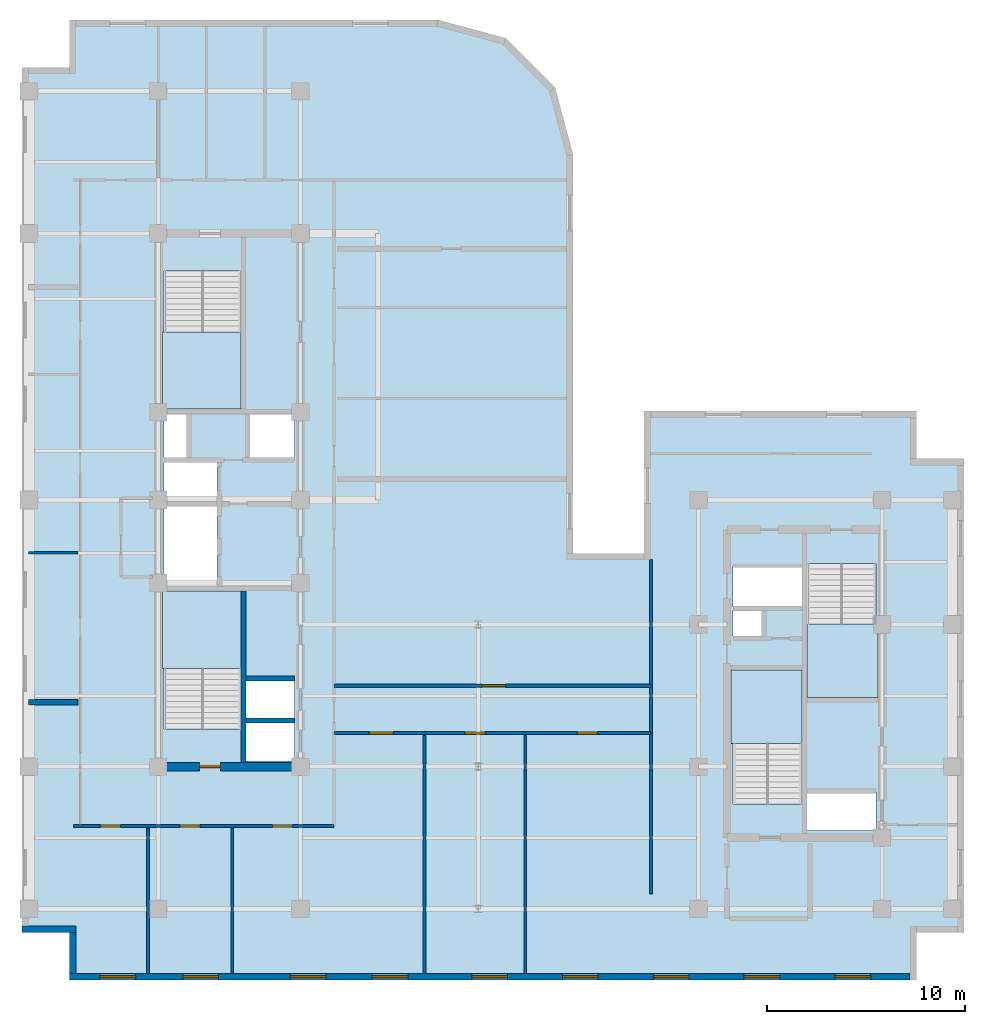
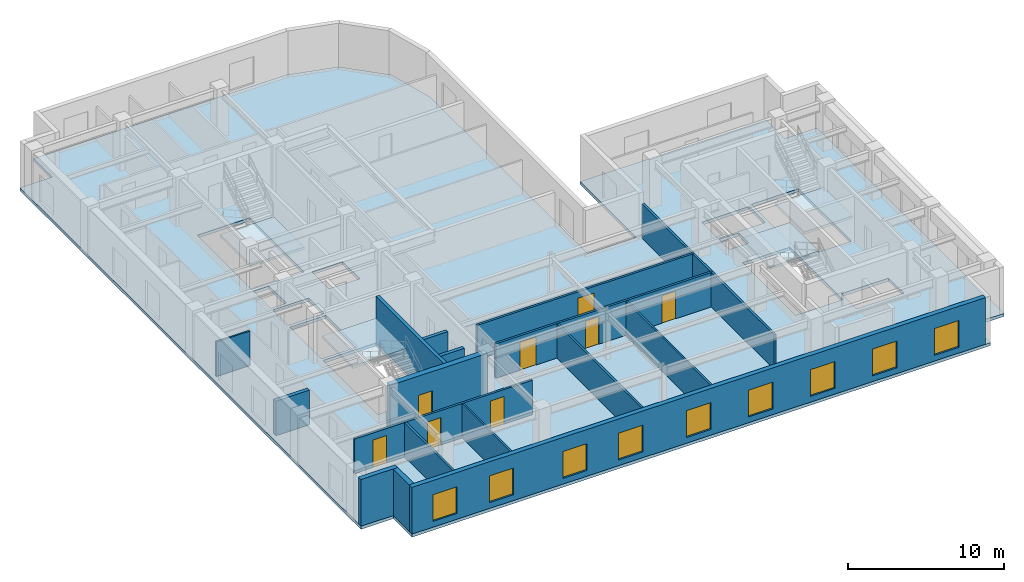
# One storey, part 3 of 10: 17 walls, 9 windows, 8 doors, 5 slabs, 17 openings, 4 elements without a shape of their own.
"""IFC4 building model written with IfcOpenShell, lengths in metres."""

from ifc_helpers import new_model, entity, si_unit, converted_unit, direction, frame, origin_with_axes, origin_2d_with_axis, place, context, subcontext, project, spatial, polyline, rectangle, outline, extrude, material, layer, layer_set, type_object, element, fill, aggregate, save


model = new_model("IFC4")

# Units and contexts
model_context = context("Model", 3, precision=1e-05, world=origin_with_axes(), true_north=direction((0.0, 1.0)))
body_context = subcontext(model_context, "Body", "Model", "MODEL_VIEW")
ifc_project = project(units=[si_unit("LENGTHUNIT", "METRE"), si_unit("AREAUNIT", "SQUARE_METRE"), si_unit("VOLUMEUNIT", "CUBIC_METRE"), converted_unit("PLANEANGLEUNIT", "DEGREE", entity("IfcPlaneAngleMeasure", 0.017453292519943295), si_unit("PLANEANGLEUNIT", "RADIAN"), dimensions=[0, 0, 0, 0, 0, 0, 0]), si_unit("MASSUNIT", "GRAM", prefix="KILO"), si_unit("THERMODYNAMICTEMPERATUREUNIT", "KELVIN")], contexts=[model_context])

# Site, building, storey
site_placement = place(None, origin_with_axes())
site = spatial("IfcSite", under=ifc_project, at=site_placement, CompositionType="ELEMENT")
building_placement = place(site_placement, origin_with_axes())
building = spatial("IfcBuilding", under=site, at=building_placement, Name="Varnlund Millrace Tower", CompositionType="ELEMENT")
storey_placement = place(building_placement, frame((0.0, 0.0, 232.5), z_axis=(0.0, 0.0, 1.0), x_axis=(1.0, 0.0, 0.0)))
storey = spatial("IfcBuildingStorey", under=building, at=storey_placement, Name="L57", CompositionType="ELEMENT", Elevation=232.5)

# Slab
ifc_material_1 = material(Name="Concrete C60/75", Category="concrete")
ifc_layer_1 = layer(ifc_material_1, 0.24, Name="Concrete C60/75")
ifc_layer_set_1 = layer_set([ifc_layer_1], Name="Concrete C60/75")
slab_type_1 = type_object("IfcSlabType", Name="Type-Deck-Plate-Typical-240", PredefinedType="FLOOR", material=ifc_layer_set_1)
slab_1_placement = place(storey_placement, frame((0.0, 0.0, -0.24), z_axis=(0.0, 0.0, 1.0), x_axis=(1.0, 0.0, 0.0)))
element("IfcSlab", 1, at=slab_1_placement, inside=storey, type_object=slab_type_1, Name="Type-Deck-Plate-Typical-240", PredefinedType="FLOOR", context=body_context, shape_type="SweptSolid", body=[
    extrude(outline(polyline([(32.4, 21.6), (32.4, 41.8), (31.489, 45.2), (29.0, 47.689), (25.6, 48.6), (6.9, 48.6), (6.9, 46.2), (4.5, 46.2), (4.5, 2.4), (6.9, 2.4), (6.9, 0.0), (49.8, 0.0), (49.8, 2.4), (52.2, 2.4), (52.2, 26.4), (49.8, 26.4), (49.8, 28.8), (36.0, 28.8), (36.0, 21.6), (32.4, 21.6)]), holes=[polyline([(18.3, 13.1), (18.3, 11.1), (15.84, 11.1), (15.84, 13.1), (18.3, 13.1)]), polyline([(15.6, 12.715), (11.7, 12.715), (11.7, 19.7), (15.6, 19.7), (15.6, 12.715)]), polyline([(11.7, 19.94), (11.7, 23.98), (14.38, 23.98), (14.38, 19.94), (11.7, 19.94)]), polyline([(14.38, 24.24), (11.7, 24.24), (11.7, 26.2), (14.38, 26.2), (14.38, 24.24)]), polyline([(12.84, 26.46), (11.7, 26.46), (11.7, 28.65), (12.84, 28.65), (12.84, 26.46)]), polyline([(15.6, 28.9), (11.7, 28.9), (11.7, 35.885), (15.6, 35.885), (15.6, 28.9)]), polyline([(47.75, 9.52), (47.75, 7.58), (44.25, 7.58), (44.25, 9.52), (47.75, 9.52)]), polyline([(44.0, 8.915), (40.5, 8.915), (40.5, 15.7), (44.0, 15.7), (44.0, 8.915)]), polyline([(18.3, 13.16), (15.84, 13.16), (15.84, 15.24), (18.3, 15.24), (18.3, 13.16)]), polyline([(47.75, 14.3), (44.25, 14.3), (44.25, 21.085), (47.75, 21.085), (47.75, 14.3)]), polyline([(41.95, 17.42), (40.5, 17.42), (40.5, 18.72), (41.95, 18.72), (41.95, 17.42)]), polyline([(44.0, 18.88), (40.5, 18.88), (40.5, 20.94), (44.0, 20.94), (44.0, 18.88)]), polyline([(18.3, 26.46), (16.04, 26.46), (16.04, 28.65), (18.3, 28.65), (18.3, 26.46)])]), origin_with_axes(), (0.0, 0.0, 1.0), 0.24),
])

# Stair, slab
ifc_material_2 = material(Name="Concrete C50/60", Category="concrete")
stair_type_1 = type_object("IfcStairType", Name="Type-Stair-Dogleg-185-390", PredefinedType="HALF_TURN_STAIR", material=ifc_material_2)
stair_1_placement = place(storey_placement, origin_with_axes())
stair_1 = element("IfcStair", 2, at=stair_1_placement, inside=storey, type_object=stair_type_1, Name="Type-Stair-Dogleg-185-390", PredefinedType="HALF_TURN_STAIR")
ifc_layer_2 = layer(ifc_material_2, 0.2, Name="Concrete C50/60")
ifc_layer_set_2 = layer_set([ifc_layer_2], Name="Concrete C50/60")
slab_type_2 = type_object("IfcSlabType", Name="Type-StairLanding-200", PredefinedType="LANDING", material=ifc_layer_set_2)
slab_2_placement = place(storey_placement, frame((0.0, 0.0, 1.75), z_axis=(0.0, 0.0, 1.0), x_axis=(1.0, 0.0, 0.0)))
slab_2 = element("IfcSlab", 3, at=slab_2_placement, type_object=slab_type_2, Name="ST-A1 landing 1", PredefinedType="LANDING", context=body_context, shape_type="SweptSolid", body=[
    extrude(outline(polyline([(15.6, 15.78), (15.6, 19.7), (11.61, 19.7), (11.61, 15.78), (15.6, 15.78)])), origin_with_axes(), (0.0, 0.0, 1.0), 0.2),
])
aggregate(stair_1, [slab_2])

stair_2_placement = place(storey_placement, origin_with_axes())
stair_2 = element("IfcStair", 4, at=stair_2_placement, inside=storey, type_object=stair_type_1, Name="Type-Stair-Dogleg-185-390", PredefinedType="HALF_TURN_STAIR")
slab_3_placement = place(storey_placement, frame((0.0, 0.0, 1.75), z_axis=(0.0, 0.0, 1.0), x_axis=(1.0, 0.0, 0.0)))
slab_3 = element("IfcSlab", 5, at=slab_3_placement, type_object=slab_type_2, Name="ST-A2 landing 1", PredefinedType="LANDING", context=body_context, shape_type="SweptSolid", body=[
    extrude(outline(polyline([(11.61, 32.82), (11.61, 28.9), (15.6, 28.9), (15.6, 32.82), (11.61, 32.82)])), origin_with_axes(), (0.0, 0.0, 1.0), 0.2),
])
aggregate(stair_2, [slab_3])

stair_type_2 = type_object("IfcStairType", Name="Type-Stair-Dogleg-165-390", PredefinedType="HALF_TURN_STAIR", material=ifc_material_2)
stair_3_placement = place(storey_placement, origin_with_axes())
stair_3 = element("IfcStair", 6, at=stair_3_placement, inside=storey, type_object=stair_type_2, Name="Type-Stair-Dogleg-165-390", PredefinedType="HALF_TURN_STAIR")
slab_4_placement = place(storey_placement, frame((0.0, 0.0, 1.75), z_axis=(0.0, 0.0, 1.0), x_axis=(1.0, 0.0, 0.0)))
slab_4 = element("IfcSlab", 7, at=slab_4_placement, type_object=slab_type_2, Name="ST-B1 landing 1", PredefinedType="LANDING", context=body_context, shape_type="SweptSolid", body=[
    extrude(outline(polyline([(44.0, 11.98), (44.0, 15.7), (40.41, 15.7), (40.41, 11.98), (44.0, 11.98)])), origin_with_axes(), (0.0, 0.0, 1.0), 0.2),
])
aggregate(stair_3, [slab_4])

stair_4_placement = place(storey_placement, origin_with_axes())
stair_4 = element("IfcStair", 8, at=stair_4_placement, inside=storey, type_object=stair_type_2, Name="Type-Stair-Dogleg-165-390", PredefinedType="HALF_TURN_STAIR")
slab_5_placement = place(storey_placement, frame((0.0, 0.0, 1.75), z_axis=(0.0, 0.0, 1.0), x_axis=(1.0, 0.0, 0.0)))
slab_5 = element("IfcSlab", 9, at=slab_5_placement, type_object=slab_type_2, Name="ST-B2 landing 1", PredefinedType="LANDING", context=body_context, shape_type="SweptSolid", body=[
    extrude(outline(polyline([(44.25, 18.02), (44.25, 14.3), (47.84, 14.3), (47.84, 18.02), (44.25, 18.02)])), origin_with_axes(), (0.0, 0.0, 1.0), 0.2),
])
aggregate(stair_4, [slab_5])

# Wall, opening, door
ifc_layer_3 = layer(ifc_material_1, 0.42, Name="Concrete C60/75")
ifc_layer_set_3 = layer_set([ifc_layer_3], Name="Concrete C60/75")
wall_type_1 = type_object("IfcWallType", Name="Type-CoreWall-Shear-420-C60", PredefinedType="SHEAR", material=ifc_layer_set_3)
wall_1_placement = place(storey_placement, frame((11.4, 10.8, 0.0), z_axis=(0.0, 0.0, 1.0), x_axis=(1.0, 0.0, 0.0)))
wall_1 = element("IfcWall", 10, at=wall_1_placement, inside=storey, type_object=wall_type_1, Name="Type-CoreWall-Shear-420-C60", PredefinedType="SHEAR", context=body_context, shape_type="SweptSolid", body=[
    extrude(outline(polyline([(0.0, -0.21), (7.2, -0.21), (7.2, 0.21), (0.0, 0.21), (0.0, -0.21)])), origin_with_axes(), (0.0, 0.0, 1.0), 3.66),
])
opening_1_placement = place(wall_1_placement, frame((2.625, 0.0, 0.0), z_axis=(0.0, 0.0, 1.0), x_axis=(1.0, 0.0, 0.0)))
opening_1 = element("IfcOpeningElement", 11, at=opening_1_placement, cuts=wall_1, Name="Opening L57:DR-STA1", PredefinedType="OPENING", context=body_context, shape_type="SweptSolid", body=[
    extrude(rectangle(XDim=1.05, YDim=0.44, at=origin_2d_with_axis()), origin_with_axes(), (0.0, 0.0, 1.0), 2.15),
])
ifc_material_3 = material(Name="Fire-rated hollow steel door", Category="steel")
door_type_1 = type_object("IfcDoorType", Name="Type-FireDoor-Stair-1050X2150", OperationType="NOTDEFINED", PredefinedType="DOOR", material=ifc_material_3)
door_1_placement = place(wall_1_placement, frame((2.625, 0.0, 0.0), z_axis=(0.0, 0.0, 1.0), x_axis=(1.0, 0.0, 0.0)))
door_1 = element("IfcDoor", 12, at=door_1_placement, inside=storey, type_object=door_type_1, Name="Type-FireDoor-Stair-1050X2150", OperationType="SINGLE_SWING_LEFT", OverallHeight=2.15, OverallWidth=1.05, PredefinedType="DOOR", context=body_context, shape_type="SweptSolid", body=[
    extrude(rectangle(XDim=1.05, YDim=0.09, at=origin_2d_with_axis()), origin_with_axes(), (0.0, 0.0, 1.0), 2.15),
])
fill(opening_1, door_1)

# Wall, openings, windows
ifc_material_4 = material(Name="Precast concrete C50/60", Category="concrete")
ifc_layer_4 = layer(ifc_material_4, 0.34, Name="Precast concrete C50/60")
ifc_layer_set_4 = layer_set([ifc_layer_4], Name="Precast concrete C50/60")
wall_type_2 = type_object("IfcWallType", Name="Type-ExtWall-Precast-Upper-340", PredefinedType="SOLIDWALL", material=ifc_layer_set_4)
wall_2_placement = place(storey_placement, frame((49.46, 0.17, 0.0), z_axis=(0.0, 0.0, 1.0), x_axis=(-1.0, 0.0, 0.0)))
wall_2 = element("IfcWall", 13, at=wall_2_placement, inside=storey, type_object=wall_type_2, Name="Type-ExtWall-Precast-Upper-340", PredefinedType="SOLIDWALL", context=body_context, shape_type="SweptSolid", body=[
    extrude(outline(polyline([(0.0, -0.17), (42.56, -0.17), (42.56, 0.17), (0.0, 0.17), (0.0, -0.17)])), origin_with_axes(), (0.0, 0.0, 1.0), 3.66),
])
opening_2_placement = place(wall_2_placement, frame((2.898, 0.0, 0.45), z_axis=(0.0, 0.0, 1.0), x_axis=(1.0, 0.0, 0.0)))
opening_2 = element("IfcOpeningElement", 14, at=opening_2_placement, cuts=wall_2, Name="Opening L57:WN-07", PredefinedType="OPENING", context=body_context, shape_type="SweptSolid", body=[
    extrude(rectangle(XDim=1.8, YDim=0.36, at=origin_2d_with_axis()), origin_with_axes(), (0.0, 0.0, 1.0), 2.1),
])
opening_3_placement = place(wall_2_placement, frame((7.493, 0.0, 0.45), z_axis=(0.0, 0.0, 1.0), x_axis=(1.0, 0.0, 0.0)))
opening_3 = element("IfcOpeningElement", 15, at=opening_3_placement, cuts=wall_2, Name="Opening L57:WN-08", PredefinedType="OPENING", context=body_context, shape_type="SweptSolid", body=[
    extrude(rectangle(XDim=1.8, YDim=0.36, at=origin_2d_with_axis()), origin_with_axes(), (0.0, 0.0, 1.0), 2.1),
])
opening_4_placement = place(wall_2_placement, frame((12.089, 0.0, 0.45), z_axis=(0.0, 0.0, 1.0), x_axis=(1.0, 0.0, 0.0)))
opening_4 = element("IfcOpeningElement", 16, at=opening_4_placement, cuts=wall_2, Name="Opening L57:WN-09", PredefinedType="OPENING", context=body_context, shape_type="SweptSolid", body=[
    extrude(rectangle(XDim=1.8, YDim=0.36, at=origin_2d_with_axis()), origin_with_axes(), (0.0, 0.0, 1.0), 2.1),
])
opening_5_placement = place(wall_2_placement, frame((16.684, 0.0, 0.45), z_axis=(0.0, 0.0, 1.0), x_axis=(1.0, 0.0, 0.0)))
opening_5 = element("IfcOpeningElement", 17, at=opening_5_placement, cuts=wall_2, Name="Opening L57:WN-10", PredefinedType="OPENING", context=body_context, shape_type="SweptSolid", body=[
    extrude(rectangle(XDim=1.8, YDim=0.36, at=origin_2d_with_axis()), origin_with_axes(), (0.0, 0.0, 1.0), 2.1),
])
opening_6_placement = place(wall_2_placement, frame((21.28, 0.0, 0.45), z_axis=(0.0, 0.0, 1.0), x_axis=(1.0, 0.0, 0.0)))
opening_6 = element("IfcOpeningElement", 18, at=opening_6_placement, cuts=wall_2, Name="Opening L57:WN-11", PredefinedType="OPENING", context=body_context, shape_type="SweptSolid", body=[
    extrude(rectangle(XDim=1.8, YDim=0.36, at=origin_2d_with_axis()), origin_with_axes(), (0.0, 0.0, 1.0), 2.1),
])
opening_7_placement = place(wall_2_placement, frame((26.326, 0.0, 0.45), z_axis=(0.0, 0.0, 1.0), x_axis=(1.0, 0.0, 0.0)))
opening_7 = element("IfcOpeningElement", 19, at=opening_7_placement, cuts=wall_2, Name="Opening L57:WN-12", PredefinedType="OPENING", context=body_context, shape_type="SweptSolid", body=[
    extrude(rectangle(XDim=1.8, YDim=0.36, at=origin_2d_with_axis()), origin_with_axes(), (0.0, 0.0, 1.0), 2.1),
])
opening_8_placement = place(wall_2_placement, frame((30.471, 0.0, 0.45), z_axis=(0.0, 0.0, 1.0), x_axis=(1.0, 0.0, 0.0)))
opening_8 = element("IfcOpeningElement", 20, at=opening_8_placement, cuts=wall_2, Name="Opening L57:WN-13", PredefinedType="OPENING", context=body_context, shape_type="SweptSolid", body=[
    extrude(rectangle(XDim=1.8, YDim=0.36, at=origin_2d_with_axis()), origin_with_axes(), (0.0, 0.0, 1.0), 2.1),
])
opening_9_placement = place(wall_2_placement, frame((35.917, 0.0, 0.45), z_axis=(0.0, 0.0, 1.0), x_axis=(1.0, 0.0, 0.0)))
opening_9 = element("IfcOpeningElement", 21, at=opening_9_placement, cuts=wall_2, Name="Opening L57:WN-14", PredefinedType="OPENING", context=body_context, shape_type="SweptSolid", body=[
    extrude(rectangle(XDim=1.8, YDim=0.36, at=origin_2d_with_axis()), origin_with_axes(), (0.0, 0.0, 1.0), 2.1),
])
opening_10_placement = place(wall_2_placement, frame((40.112, 0.0, 0.45), z_axis=(0.0, 0.0, 1.0), x_axis=(1.0, 0.0, 0.0)))
opening_10 = element("IfcOpeningElement", 22, at=opening_10_placement, cuts=wall_2, Name="Opening L57:WN-15", PredefinedType="OPENING", context=body_context, shape_type="SweptSolid", body=[
    extrude(rectangle(XDim=1.8, YDim=0.36, at=origin_2d_with_axis()), origin_with_axes(), (0.0, 0.0, 1.0), 2.1),
])
ifc_material_5 = material(Name="Argon low-e triple glazing in thermally broken bronze frame", Category="glass")
window_type = type_object("IfcWindowType", Name="Type-Window-Punched-1800X2100", PartitioningType="SINGLE_PANEL", PredefinedType="WINDOW", material=ifc_material_5)
window_1_placement = place(wall_2_placement, frame((2.898, 0.0, 0.45), z_axis=(0.0, 0.0, 1.0), x_axis=(1.0, 0.0, 0.0)))
window_1 = element("IfcWindow", 23, at=window_1_placement, inside=storey, type_object=window_type, Name="Type-Window-Punched-1800X2100", OverallHeight=2.1, OverallWidth=1.8, PredefinedType="WINDOW", context=body_context, shape_type="SweptSolid", body=[
    extrude(rectangle(XDim=1.8, YDim=0.09, at=origin_2d_with_axis()), origin_with_axes(), (0.0, 0.0, 1.0), 2.1),
])
fill(opening_2, window_1)
window_2_placement = place(wall_2_placement, frame((7.493, 0.0, 0.45), z_axis=(0.0, 0.0, 1.0), x_axis=(1.0, 0.0, 0.0)))
window_2 = element("IfcWindow", 24, at=window_2_placement, inside=storey, type_object=window_type, Name="Type-Window-Punched-1800X2100", OverallHeight=2.1, OverallWidth=1.8, PredefinedType="WINDOW", context=body_context, shape_type="SweptSolid", body=[
    extrude(rectangle(XDim=1.8, YDim=0.09, at=origin_2d_with_axis()), origin_with_axes(), (0.0, 0.0, 1.0), 2.1),
])
fill(opening_3, window_2)
window_3_placement = place(wall_2_placement, frame((12.089, 0.0, 0.45), z_axis=(0.0, 0.0, 1.0), x_axis=(1.0, 0.0, 0.0)))
window_3 = element("IfcWindow", 25, at=window_3_placement, inside=storey, type_object=window_type, Name="Type-Window-Punched-1800X2100", OverallHeight=2.1, OverallWidth=1.8, PredefinedType="WINDOW", context=body_context, shape_type="SweptSolid", body=[
    extrude(rectangle(XDim=1.8, YDim=0.09, at=origin_2d_with_axis()), origin_with_axes(), (0.0, 0.0, 1.0), 2.1),
])
fill(opening_4, window_3)
window_4_placement = place(wall_2_placement, frame((16.684, 0.0, 0.45), z_axis=(0.0, 0.0, 1.0), x_axis=(1.0, 0.0, 0.0)))
window_4 = element("IfcWindow", 26, at=window_4_placement, inside=storey, type_object=window_type, Name="Type-Window-Punched-1800X2100", OverallHeight=2.1, OverallWidth=1.8, PredefinedType="WINDOW", context=body_context, shape_type="SweptSolid", body=[
    extrude(rectangle(XDim=1.8, YDim=0.09, at=origin_2d_with_axis()), origin_with_axes(), (0.0, 0.0, 1.0), 2.1),
])
fill(opening_5, window_4)
window_5_placement = place(wall_2_placement, frame((21.28, 0.0, 0.45), z_axis=(0.0, 0.0, 1.0), x_axis=(1.0, 0.0, 0.0)))
window_5 = element("IfcWindow", 27, at=window_5_placement, inside=storey, type_object=window_type, Name="Type-Window-Punched-1800X2100", OverallHeight=2.1, OverallWidth=1.8, PredefinedType="WINDOW", context=body_context, shape_type="SweptSolid", body=[
    extrude(rectangle(XDim=1.8, YDim=0.09, at=origin_2d_with_axis()), origin_with_axes(), (0.0, 0.0, 1.0), 2.1),
])
fill(opening_6, window_5)
window_6_placement = place(wall_2_placement, frame((26.326, 0.0, 0.45), z_axis=(0.0, 0.0, 1.0), x_axis=(1.0, 0.0, 0.0)))
window_6 = element("IfcWindow", 28, at=window_6_placement, inside=storey, type_object=window_type, Name="Type-Window-Punched-1800X2100", OverallHeight=2.1, OverallWidth=1.8, PredefinedType="WINDOW", context=body_context, shape_type="SweptSolid", body=[
    extrude(rectangle(XDim=1.8, YDim=0.09, at=origin_2d_with_axis()), origin_with_axes(), (0.0, 0.0, 1.0), 2.1),
])
fill(opening_7, window_6)
window_7_placement = place(wall_2_placement, frame((30.471, 0.0, 0.45), z_axis=(0.0, 0.0, 1.0), x_axis=(1.0, 0.0, 0.0)))
window_7 = element("IfcWindow", 29, at=window_7_placement, inside=storey, type_object=window_type, Name="Type-Window-Punched-1800X2100", OverallHeight=2.1, OverallWidth=1.8, PredefinedType="WINDOW", context=body_context, shape_type="SweptSolid", body=[
    extrude(rectangle(XDim=1.8, YDim=0.09, at=origin_2d_with_axis()), origin_with_axes(), (0.0, 0.0, 1.0), 2.1),
])
fill(opening_8, window_7)
window_8_placement = place(wall_2_placement, frame((35.917, 0.0, 0.45), z_axis=(0.0, 0.0, 1.0), x_axis=(1.0, 0.0, 0.0)))
window_8 = element("IfcWindow", 30, at=window_8_placement, inside=storey, type_object=window_type, Name="Type-Window-Punched-1800X2100", OverallHeight=2.1, OverallWidth=1.8, PredefinedType="WINDOW", context=body_context, shape_type="SweptSolid", body=[
    extrude(rectangle(XDim=1.8, YDim=0.09, at=origin_2d_with_axis()), origin_with_axes(), (0.0, 0.0, 1.0), 2.1),
])
fill(opening_9, window_8)
window_9_placement = place(wall_2_placement, frame((40.112, 0.0, 0.45), z_axis=(0.0, 0.0, 1.0), x_axis=(1.0, 0.0, 0.0)))
window_9 = element("IfcWindow", 31, at=window_9_placement, inside=storey, type_object=window_type, Name="Type-Window-Punched-1800X2100", OverallHeight=2.1, OverallWidth=1.8, PredefinedType="WINDOW", context=body_context, shape_type="SweptSolid", body=[
    extrude(rectangle(XDim=1.8, YDim=0.09, at=origin_2d_with_axis()), origin_with_axes(), (0.0, 0.0, 1.0), 2.1),
])
fill(opening_10, window_9)

# Walls
wall_3_placement = place(storey_placement, frame((7.07, 0.34, 0.0), z_axis=(0.0, 0.0, 1.0), x_axis=(0.0, 1.0, 0.0)))
element("IfcWall", 32, at=wall_3_placement, inside=storey, type_object=wall_type_2, Name="Type-ExtWall-Precast-Upper-340", PredefinedType="SOLIDWALL", context=body_context, shape_type="SweptSolid", body=[
    extrude(outline(polyline([(0.0, -0.17), (2.06, -0.17), (2.06, 0.17), (0.0, 0.17), (0.0, -0.17)])), origin_with_axes(), (0.0, 0.0, 1.0), 3.66),
])
wall_4_placement = place(storey_placement, frame((7.24, 2.57, 0.0), z_axis=(0.0, 0.0, 1.0), x_axis=(-1.0, 0.0, 0.0)))
element("IfcWall", 33, at=wall_4_placement, inside=storey, type_object=wall_type_2, Name="Type-ExtWall-Precast-Upper-340", PredefinedType="SOLIDWALL", context=body_context, shape_type="SweptSolid", body=[
    extrude(outline(polyline([(0.0, -0.17), (2.74, -0.17), (2.74, 0.17), (0.0, 0.17), (0.0, -0.17)])), origin_with_axes(), (0.0, 0.0, 1.0), 3.66),
])
ifc_material_6 = material(Name="Double-stud STC-60 conference acoustic partition", Category="gypsum")
ifc_layer_5 = layer(ifc_material_6, 0.28, Name="Double-stud STC-60 conference acoustic partition")
ifc_layer_set_5 = layer_set([ifc_layer_5], Name="Double-stud STC-60 conference acoustic partition")
wall_type_3 = type_object("IfcWallType", Name="Type-Partition-Acoustic-280", PredefinedType="PARTITIONING", material=ifc_layer_set_5)
wall_5_placement = place(storey_placement, frame((4.835, 14.06, 0.0), z_axis=(0.0, 0.0, 1.0), x_axis=(1.0, 0.0, 0.0)))
element("IfcWall", 34, at=wall_5_placement, inside=storey, type_object=wall_type_3, Name="Type-Partition-Acoustic-280", PredefinedType="PARTITIONING", context=body_context, shape_type="SweptSolid", body=[
    extrude(outline(polyline([(0.0, -0.14), (2.495, -0.14), (2.495, 0.14), (0.0, 0.14), (0.0, -0.14)])), origin_with_axes(), (0.0, 0.0, 1.0), 2.7),
])

# Wall, openings, doors
ifc_material_7 = material(Name="Fire-rated gypsum board on cold-formed steel framing", Category="steel")
ifc_layer_6 = layer(ifc_material_7, 0.16, Name="Fire-rated gypsum board on cold-formed steel framing")
ifc_layer_set_6 = layer_set([ifc_layer_6], Name="Fire-rated gypsum board on cold-formed steel framing")
wall_type_4 = type_object("IfcWallType", Name="Type-Partition-Corridor-160", PredefinedType="PARTITIONING", material=ifc_layer_set_6)
wall_6_placement = place(storey_placement, frame((7.1, 7.8, 0.0), z_axis=(0.0, 0.0, 1.0), x_axis=(1.0, 0.0, 0.0)))
wall_6 = element("IfcWall", 35, at=wall_6_placement, inside=storey, type_object=wall_type_4, Name="Type-Partition-Corridor-160", PredefinedType="PARTITIONING", context=body_context, shape_type="SweptSolid", body=[
    extrude(outline(polyline([(0.0, -0.08), (13.2, -0.08), (13.2, 0.08), (0.0, 0.08), (0.0, -0.08)])), origin_with_axes(), (0.0, 0.0, 1.0), 2.7),
])
opening_11_placement = place(wall_6_placement, frame((1.8845, 0.0, 0.0), z_axis=(0.0, 0.0, 1.0), x_axis=(1.0, 0.0, 0.0)))
opening_11 = element("IfcOpeningElement", 36, at=opening_11_placement, cuts=wall_6, Name="Opening L57:DR-WAS-01", PredefinedType="OPENING", context=body_context, shape_type="SweptSolid", body=[
    extrude(rectangle(XDim=1.0, YDim=0.18, at=origin_2d_with_axis()), origin_with_axes(), (0.0, 0.0, 1.0), 2.15),
])
opening_12_placement = place(wall_6_placement, frame((5.9085, 0.0, 0.0), z_axis=(0.0, 0.0, 1.0), x_axis=(1.0, 0.0, 0.0)))
opening_12 = element("IfcOpeningElement", 37, at=opening_12_placement, cuts=wall_6, Name="Opening L57:DR-WAS-02", PredefinedType="OPENING", context=body_context, shape_type="SweptSolid", body=[
    extrude(rectangle(XDim=1.0, YDim=0.18, at=origin_2d_with_axis()), origin_with_axes(), (0.0, 0.0, 1.0), 2.15),
])
opening_13_placement = place(wall_6_placement, frame((10.594, 0.0, 0.0), z_axis=(0.0, 0.0, 1.0), x_axis=(1.0, 0.0, 0.0)))
opening_13 = element("IfcOpeningElement", 38, at=opening_13_placement, cuts=wall_6, Name="Opening L57:DR-WAS-03", PredefinedType="OPENING", context=body_context, shape_type="SweptSolid", body=[
    extrude(rectangle(XDim=1.0, YDim=0.18, at=origin_2d_with_axis()), origin_with_axes(), (0.0, 0.0, 1.0), 2.15),
])
ifc_material_8 = material(Name="Solid-core white oak and bronze frame door")
door_type_2 = type_object("IfcDoorType", Name="Type-IntDoor-Office-1000X2150", OperationType="NOTDEFINED", PredefinedType="DOOR", material=ifc_material_8)
door_2_placement = place(wall_6_placement, frame((1.8845, 0.0, 0.0), z_axis=(0.0, 0.0, 1.0), x_axis=(1.0, 0.0, 0.0)))
door_2 = element("IfcDoor", 39, at=door_2_placement, inside=storey, type_object=door_type_2, Name="Type-IntDoor-Office-1000X2150", OperationType="SINGLE_SWING_LEFT", OverallHeight=2.15, OverallWidth=1.0, PredefinedType="DOOR", context=body_context, shape_type="SweptSolid", body=[
    extrude(rectangle(XDim=1.0, YDim=0.09, at=origin_2d_with_axis()), origin_with_axes(), (0.0, 0.0, 1.0), 2.15),
])
fill(opening_11, door_2)
door_3_placement = place(wall_6_placement, frame((5.9085, 0.0, 0.0), z_axis=(0.0, 0.0, 1.0), x_axis=(1.0, 0.0, 0.0)))
door_3 = element("IfcDoor", 40, at=door_3_placement, inside=storey, type_object=door_type_2, Name="Type-IntDoor-Office-1000X2150", OperationType="SINGLE_SWING_RIGHT", OverallHeight=2.15, OverallWidth=1.0, PredefinedType="DOOR", context=body_context, shape_type="SweptSolid", body=[
    extrude(rectangle(XDim=1.0, YDim=0.09, at=origin_2d_with_axis()), origin_with_axes(), (0.0, 0.0, 1.0), 2.15),
])
fill(opening_12, door_3)
door_4_placement = place(wall_6_placement, frame((10.594, 0.0, 0.0), z_axis=(0.0, 0.0, 1.0), x_axis=(1.0, 0.0, 0.0)))
door_4 = element("IfcDoor", 41, at=door_4_placement, inside=storey, type_object=door_type_2, Name="Type-IntDoor-Office-1000X2150", OperationType="SINGLE_SWING_LEFT", OverallHeight=2.15, OverallWidth=1.0, PredefinedType="DOOR", context=body_context, shape_type="SweptSolid", body=[
    extrude(rectangle(XDim=1.0, YDim=0.09, at=origin_2d_with_axis()), origin_with_axes(), (0.0, 0.0, 1.0), 2.15),
])
fill(opening_13, door_4)

wall_7_placement = place(storey_placement, frame((20.3, 12.5, 0.0), z_axis=(0.0, 0.0, 1.0), x_axis=(1.0, 0.0, 0.0)))
wall_7 = element("IfcWall", 42, at=wall_7_placement, inside=storey, type_object=wall_type_4, Name="Type-Partition-Corridor-160", PredefinedType="PARTITIONING", context=body_context, shape_type="SweptSolid", body=[
    extrude(outline(polyline([(0.0, -0.08), (16.05, -0.08), (16.05, 0.08), (0.0, 0.08), (0.0, -0.08)])), origin_with_axes(), (0.0, 0.0, 1.0), 2.7),
])
opening_14_placement = place(wall_7_placement, frame((2.383, 0.0, 0.0), z_axis=(0.0, 0.0, 1.0), x_axis=(1.0, 0.0, 0.0)))
opening_14 = element("IfcOpeningElement", 43, at=opening_14_placement, cuts=wall_7, Name="Opening L57:DR-KNS-01", PredefinedType="OPENING", context=body_context, shape_type="SweptSolid", body=[
    extrude(rectangle(XDim=1.2, YDim=0.18, at=origin_2d_with_axis()), origin_with_axes(), (0.0, 0.0, 1.0), 2.2),
])
opening_15_placement = place(wall_7_placement, frame((7.137, 0.0, 0.0), z_axis=(0.0, 0.0, 1.0), x_axis=(1.0, 0.0, 0.0)))
opening_15 = element("IfcOpeningElement", 44, at=opening_15_placement, cuts=wall_7, Name="Opening L57:DR-KNS-02", PredefinedType="OPENING", context=body_context, shape_type="SweptSolid", body=[
    extrude(rectangle(XDim=1.0, YDim=0.18, at=origin_2d_with_axis()), origin_with_axes(), (0.0, 0.0, 1.0), 2.15),
])
opening_16_placement = place(wall_7_placement, frame((12.829, 0.0, 0.0), z_axis=(0.0, 0.0, 1.0), x_axis=(1.0, 0.0, 0.0)))
opening_16 = element("IfcOpeningElement", 45, at=opening_16_placement, cuts=wall_7, Name="Opening L57:DR-KNS-03", PredefinedType="OPENING", context=body_context, shape_type="SweptSolid", body=[
    extrude(rectangle(XDim=1.0, YDim=0.18, at=origin_2d_with_axis()), origin_with_axes(), (0.0, 0.0, 1.0), 2.15),
])
ifc_material_9 = material(Name="Wide executive white oak acoustic door")
door_type_3 = type_object("IfcDoorType", Name="Type-IntDoor-Exec-1200X2200", OperationType="NOTDEFINED", PredefinedType="DOOR", material=ifc_material_9)
door_5_placement = place(wall_7_placement, frame((2.383, 0.0, 0.0), z_axis=(0.0, 0.0, 1.0), x_axis=(1.0, 0.0, 0.0)))
door_5 = element("IfcDoor", 46, at=door_5_placement, inside=storey, type_object=door_type_3, Name="Type-IntDoor-Exec-1200X2200", OperationType="SINGLE_SWING_LEFT", OverallHeight=2.2, OverallWidth=1.2, PredefinedType="DOOR", context=body_context, shape_type="SweptSolid", body=[
    extrude(rectangle(XDim=1.2, YDim=0.09, at=origin_2d_with_axis()), origin_with_axes(), (0.0, 0.0, 1.0), 2.2),
])
fill(opening_14, door_5)
door_6_placement = place(wall_7_placement, frame((7.137, 0.0, 0.0), z_axis=(0.0, 0.0, 1.0), x_axis=(1.0, 0.0, 0.0)))
door_6 = element("IfcDoor", 47, at=door_6_placement, inside=storey, type_object=door_type_2, Name="Type-IntDoor-Office-1000X2150", OperationType="SINGLE_SWING_RIGHT", OverallHeight=2.15, OverallWidth=1.0, PredefinedType="DOOR", context=body_context, shape_type="SweptSolid", body=[
    extrude(rectangle(XDim=1.0, YDim=0.09, at=origin_2d_with_axis()), origin_with_axes(), (0.0, 0.0, 1.0), 2.15),
])
fill(opening_15, door_6)
door_7_placement = place(wall_7_placement, frame((12.829, 0.0, 0.0), z_axis=(0.0, 0.0, 1.0), x_axis=(1.0, 0.0, 0.0)))
door_7 = element("IfcDoor", 48, at=door_7_placement, inside=storey, type_object=door_type_2, Name="Type-IntDoor-Office-1000X2150", OperationType="SINGLE_SWING_LEFT", OverallHeight=2.15, OverallWidth=1.0, PredefinedType="DOOR", context=body_context, shape_type="SweptSolid", body=[
    extrude(rectangle(XDim=1.0, YDim=0.09, at=origin_2d_with_axis()), origin_with_axes(), (0.0, 0.0, 1.0), 2.15),
])
fill(opening_16, door_7)

# Wall, opening, door
wall_8_placement = place(storey_placement, frame((20.3, 14.9, 0.0), z_axis=(0.0, 0.0, 1.0), x_axis=(1.0, 0.0, 0.0)))
wall_8 = element("IfcWall", 49, at=wall_8_placement, inside=storey, type_object=wall_type_4, Name="Type-Partition-Corridor-160", PredefinedType="PARTITIONING", context=body_context, shape_type="SweptSolid", body=[
    extrude(outline(polyline([(0.0, -0.08), (16.05, -0.08), (16.05, 0.08), (0.0, 0.08), (0.0, -0.08)])), origin_with_axes(), (0.0, 0.0, 1.0), 2.7),
])
opening_17_placement = place(wall_8_placement, frame((8.075, 0.0, 0.0), z_axis=(0.0, 0.0, 1.0), x_axis=(1.0, 0.0, 0.0)))
opening_17 = element("IfcOpeningElement", 50, at=opening_17_placement, cuts=wall_8, Name="Opening L57:DR-KN-01", PredefinedType="OPENING", context=body_context, shape_type="SweptSolid", body=[
    extrude(rectangle(XDim=1.2, YDim=0.18, at=origin_2d_with_axis()), origin_with_axes(), (0.0, 0.0, 1.0), 2.2),
])
door_8_placement = place(wall_8_placement, frame((8.075, 0.0, 0.0), z_axis=(0.0, 0.0, 1.0), x_axis=(1.0, 0.0, 0.0)))
door_8 = element("IfcDoor", 51, at=door_8_placement, inside=storey, type_object=door_type_3, Name="Type-IntDoor-Exec-1200X2200", OperationType="SINGLE_SWING_LEFT", OverallHeight=2.2, OverallWidth=1.2, PredefinedType="DOOR", context=body_context, shape_type="SweptSolid", body=[
    extrude(rectangle(XDim=1.2, YDim=0.09, at=origin_2d_with_axis()), origin_with_axes(), (0.0, 0.0, 1.0), 2.2),
])
fill(opening_17, door_8)

# Walls
wall_9_placement = place(storey_placement, frame((36.35, 4.35, 0.0), z_axis=(0.0, 0.0, 1.0), x_axis=(0.0, 1.0, 0.0)))
element("IfcWall", 52, at=wall_9_placement, inside=storey, type_object=wall_type_4, Name="Type-Partition-Corridor-160", PredefinedType="PARTITIONING", context=body_context, shape_type="SweptSolid", body=[
    extrude(outline(polyline([(0.0, -0.08), (16.95, -0.08), (16.95, 0.08), (0.0, 0.08), (0.0, -0.08)])), origin_with_axes(), (0.0, 0.0, 1.0), 2.7),
])
ifc_material_10 = material(Name="Acoustic STC-50 gypsum board partition", Category="gypsum")
ifc_layer_7 = layer(ifc_material_10, 0.15, Name="Acoustic STC-50 gypsum board partition")
ifc_layer_set_7 = layer_set([ifc_layer_7], Name="Acoustic STC-50 gypsum board partition")
wall_type_5 = type_object("IfcWallType", Name="Type-Partition-Demising-150", PredefinedType="PARTITIONING", material=ifc_layer_set_7)
wall_10_placement = place(storey_placement, frame((10.879, 0.335, 0.0), z_axis=(0.0, 0.0, 1.0), x_axis=(0.0, 1.0, 0.0)))
element("IfcWall", 53, at=wall_10_placement, inside=storey, type_object=wall_type_5, Name="Type-Partition-Demising-150", PredefinedType="PARTITIONING", context=body_context, shape_type="SweptSolid", body=[
    extrude(outline(polyline([(0.0, -0.075), (7.365, -0.075), (7.365, 0.075), (0.0, 0.075), (0.0, -0.075)])), origin_with_axes(), (0.0, 0.0, 1.0), 2.7),
])
wall_11_placement = place(storey_placement, frame((24.886, 0.335, 0.0), z_axis=(0.0, 0.0, 1.0), x_axis=(0.0, 1.0, 0.0)))
element("IfcWall", 54, at=wall_11_placement, inside=storey, type_object=wall_type_5, Name="Type-Partition-Demising-150", PredefinedType="PARTITIONING", context=body_context, shape_type="SweptSolid", body=[
    extrude(outline(polyline([(0.0, -0.075), (12.045, -0.075), (12.045, 0.075), (0.0, 0.075), (0.0, -0.075)])), origin_with_axes(), (0.0, 0.0, 1.0), 2.7),
])
ifc_material_11 = material(Name="Gypsum board tenant partition", Category="gypsum")
ifc_layer_8 = layer(ifc_material_11, 0.125, Name="Gypsum board tenant partition")
ifc_layer_set_8 = layer_set([ifc_layer_8], Name="Gypsum board tenant partition")
wall_type_6 = type_object("IfcWallType", Name="Type-Partition-Tenant-125", PredefinedType="PARTITIONING", material=ifc_layer_set_8)
wall_12_placement = place(storey_placement, frame((4.835, 21.628, 0.0), z_axis=(0.0, 0.0, 1.0), x_axis=(1.0, 0.0, 0.0)))
element("IfcWall", 55, at=wall_12_placement, inside=storey, type_object=wall_type_6, Name="Type-Partition-Tenant-125", PredefinedType="PARTITIONING", context=body_context, shape_type="SweptSolid", body=[
    extrude(outline(polyline([(0.0, -0.0625), (2.495, -0.0625), (2.495, 0.0625), (0.0, 0.0625), (0.0, -0.0625)])), origin_with_axes(), (0.0, 0.0, 1.0), 2.7),
])
wall_13_placement = place(storey_placement, frame((15.138, 0.335, 0.0), z_axis=(0.0, 0.0, 1.0), x_axis=(0.0, 1.0, 0.0)))
element("IfcWall", 56, at=wall_13_placement, inside=storey, type_object=wall_type_6, Name="Type-Partition-Tenant-125", PredefinedType="PARTITIONING", context=body_context, shape_type="SweptSolid", body=[
    extrude(outline(polyline([(0.0, -0.0625), (7.365, -0.0625), (7.365, 0.0625), (0.0, 0.0625), (0.0, -0.0625)])), origin_with_axes(), (0.0, 0.0, 1.0), 2.7),
])
wall_14_placement = place(storey_placement, frame((29.988, 0.335, 0.0), z_axis=(0.0, 0.0, 1.0), x_axis=(0.0, 1.0, 0.0)))
element("IfcWall", 57, at=wall_14_placement, inside=storey, type_object=wall_type_6, Name="Type-Partition-Tenant-125", PredefinedType="PARTITIONING", context=body_context, shape_type="SweptSolid", body=[
    extrude(outline(polyline([(0.0, -0.0625), (12.045, -0.0625), (12.045, 0.0625), (0.0, 0.0625), (0.0, -0.0625)])), origin_with_axes(), (0.0, 0.0, 1.0), 2.7),
])
ifc_layer_9 = layer(ifc_material_1, 0.25, Name="Concrete C60/75")
ifc_layer_set_9 = layer_set([ifc_layer_9], Name="Concrete C60/75")
wall_type_7 = type_object("IfcWallType", Name="Type-ShaftWall-Fire-250", PredefinedType="SOLIDWALL", material=ifc_layer_set_9)
for number, where, z_axis, x_axis, name in (
    (58, (15.84, 13.13, 0.0), (0.0, 0.0, 1.0), (1.0, 0.0, 0.0), "Type-ShaftWall-Fire-250"),
    (59, (15.84, 15.27, 0.0), (0.0, 0.0, 1.0), (1.0, 0.0, 0.0), "Type-ShaftWall-Fire-250"),
):
    element("IfcWall", number, at=place(storey_placement, frame(where, z_axis=z_axis, x_axis=x_axis)), inside=storey, type_object=wall_type_7, Name=name, PredefinedType="SOLIDWALL", context=body_context, shape_type="SweptSolid", body=[
        extrude(outline(polyline([(0.0, -0.125), (2.46, -0.125), (2.46, 0.125), (0.0, 0.125), (0.0, -0.125)])), origin_with_axes(), (0.0, 0.0, 1.0), 2.7),
    ])
wall_type_8 = type_object("IfcWallType", Name="Type-StairWall-Shear-250", PredefinedType="SHEAR", material=ifc_layer_set_9)
wall_15_placement = place(storey_placement, frame((15.725, 11.01, 0.0), z_axis=(0.0, 0.0, 1.0), x_axis=(0.0, 1.0, 0.0)))
element("IfcWall", 60, at=wall_15_placement, inside=storey, type_object=wall_type_8, Name="Type-StairWall-Shear-250", PredefinedType="SHEAR", context=body_context, shape_type="SweptSolid", body=[
    extrude(outline(polyline([(0.0, -0.125), (8.69, -0.125), (8.69, 0.125), (0.0, 0.125), (0.0, -0.125)])), origin_with_axes(), (0.0, 0.0, 1.0), 3.66),
])

save(model, "model.ifc")
